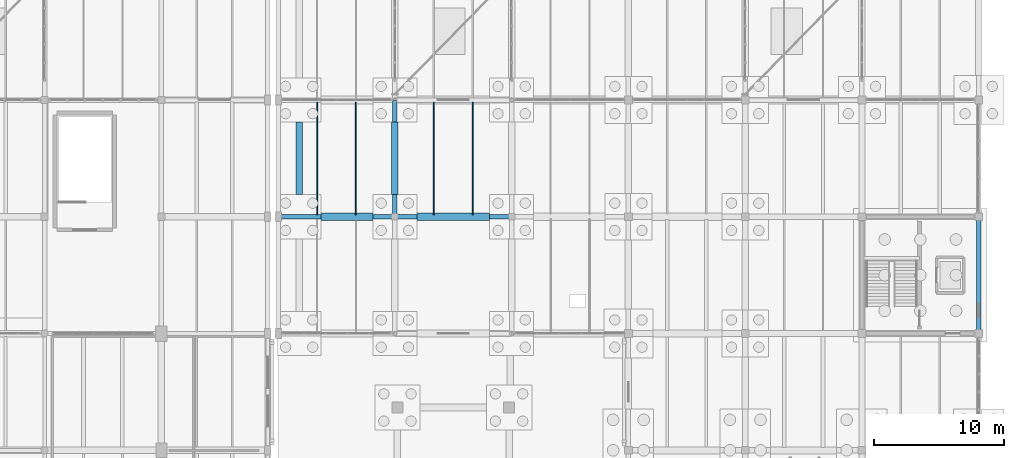
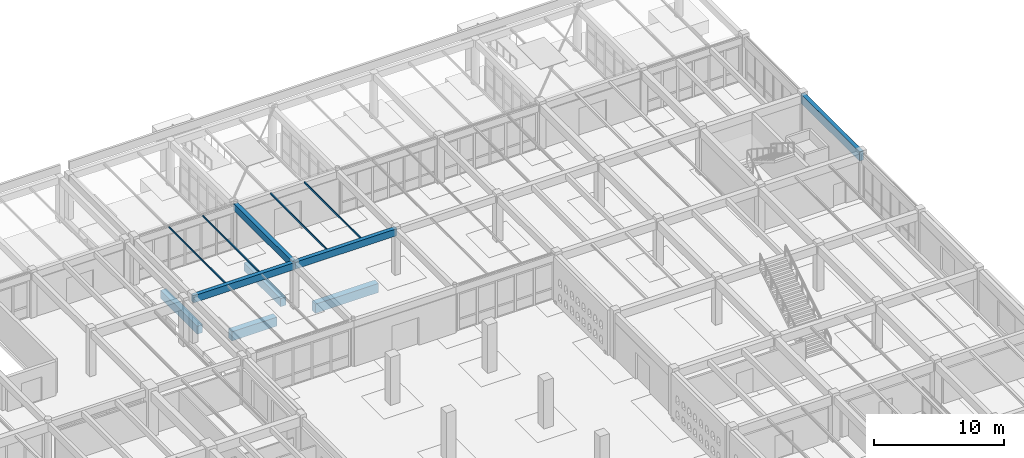
# One storey, part 128 of 186: 12 beams.
"""IFC4 building model written with IfcOpenShell, lengths in metres."""

from ifc_helpers import new_model, si_unit, direction, frame, origin, origin_2d, place, context, subcontext, project, spatial, rectangle, hollow_rectangle, extrude, material, material_profile, profile_set, type_object, element, save


model = new_model("IFC4")

# Units and contexts
model_context = context("Model", 3, precision=1e-05, world=origin(), true_north=direction((0.0, 1.0)))
body_context = subcontext(model_context, "Body", "Model", "MODEL_VIEW")
ifc_project = project(units=[si_unit("LENGTHUNIT", "METRE"), si_unit("AREAUNIT", "SQUARE_METRE"), si_unit("VOLUMEUNIT", "CUBIC_METRE"), si_unit("PLANEANGLEUNIT", "RADIAN"), si_unit("MASSUNIT", "GRAM", prefix="KILO")], contexts=[model_context])

# Site, building, storey
site_placement = place(None, origin())
site = spatial("IfcSite", under=ifc_project, at=site_placement, CompositionType="ELEMENT")
building_placement = place(site_placement, origin())
building = spatial("IfcBuilding", under=site, at=building_placement, Name="Ornek Quay Market", CompositionType="ELEMENT")
storey_placement = place(building_placement, origin())
storey = spatial("IfcBuildingStorey", under=building, at=storey_placement, Name="L00", CompositionType="ELEMENT", Elevation=0.0)

# Beams
ifc_material_1 = material(Name="Concrete C35/45", Category="concrete")
ifc_material_profile_1 = material_profile(ifc_material_1, rectangle(XDim=0.35009765625, YDim=0.64990234375, at=origin_2d()), Name="RC 350x650", Category="concrete")
ifc_profile_set_1 = profile_set([ifc_material_profile_1], Name="Concrete C35/45")
beam_type_1 = type_object("IfcBeamType", Name="BM-CONC-350x650", PredefinedType="BEAM", material=ifc_profile_set_1)
for number, where, z_axis, x_axis, name in (
    (1, (126.0, 101.0, 3.945068359375), (1.0, 0.0, 0.0), (0.0, 1.0, 0.0), "Primary beam B-CN1-076"),
    (2, (135.0, 101.0, 3.945068359375), (1.0, 0.0, 0.0), (0.0, 1.0, 0.0), "Primary beam B-CN1-077"),
    (3, (135.0, 101.0, 3.945068359375), (0.0, 1.0, 0.0), (-1.0, 0.0, 0.0), "Primary beam B-CN1-082"),
):
    element("IfcBeam", number, at=place(storey_placement, frame(where, z_axis=z_axis, x_axis=x_axis)), inside=storey, type_object=beam_type_1, Name=name, PredefinedType="BEAM", context=body_context, shape_type="SweptSolid", body=[
        extrude(rectangle(XDim=0.35009765625, YDim=0.64990234375, at=origin_2d()), origin(), (0.0, 0.0, 1.0), 9.0),
    ])
ifc_material_profile_2 = material_profile(ifc_material_1, rectangle(XDim=0.5, YDim=0.75, at=origin_2d()), Name="RC 500x750", Category="concrete")
ifc_profile_set_2 = profile_set([ifc_material_profile_2], Name="Concrete C35/45")
beam_type_2 = type_object("IfcBeamType", Name="BM-GB-500x750", PredefinedType="BEAM", material=ifc_profile_set_2)
for number, where, z_axis, x_axis, name in (
    (4, (127.6201171875, 102.699951171875, -0.574951171875), (0.0, 1.0, 0.0), (-1.0, 0.0, 0.0), "Ground tie beam GB-364"),
    (5, (135.0, 102.699951171875, -0.574951171875), (0.0, 1.0, 0.0), (-1.0, 0.0, 0.0), "Ground tie beam GB-369"),
):
    element("IfcBeam", number, at=place(storey_placement, frame(where, z_axis=z_axis, x_axis=x_axis)), inside=storey, type_object=beam_type_2, Name=name, PredefinedType="BEAM", context=body_context, shape_type="SweptSolid", body=[
        extrude(rectangle(XDim=0.5, YDim=0.75, at=origin_2d()), origin(), (0.0, 0.0, 1.0), 5.60009765625),
    ])
ifc_material_profile_3 = material_profile(ifc_material_1, rectangle(XDim=0.550048828125, YDim=0.85009765625, at=origin_2d()), Name="RC 550x850", Category="concrete")
ifc_profile_set_3 = profile_set([ifc_material_profile_3], Name="Concrete C35/45")
beam_type_3 = type_object("IfcBeamType", Name="BM-GB-550x850", PredefinedType="BEAM", material=ifc_profile_set_3)
beam_1_placement = place(storey_placement, frame((129.320068359375, 101.0, -0.625), z_axis=(1.0, 0.0, 0.0), x_axis=(0.0, 1.0, 0.0)))
element("IfcBeam", 6, at=beam_1_placement, inside=storey, type_object=beam_type_3, Name="Ground tie beam GB-346", PredefinedType="BEAM", context=body_context, shape_type="SweptSolid", body=[
    extrude(rectangle(XDim=0.550048828125, YDim=0.85009765625, at=origin_2d()), origin(), (0.0, 0.0, 1.0), 3.97998046875),
])
beam_2_placement = place(storey_placement, frame((136.699951171875, 101.0, -0.625), z_axis=(1.0, 0.0, 0.0), x_axis=(0.0, 1.0, 0.0)))
element("IfcBeam", 7, at=beam_2_placement, inside=storey, type_object=beam_type_3, Name="Ground tie beam GB-347", PredefinedType="BEAM", context=body_context, shape_type="SweptSolid", body=[
    extrude(rectangle(XDim=0.550048828125, YDim=0.85009765625, at=origin_2d()), origin(), (0.0, 0.0, 1.0), 5.60009765625),
])
ifc_material_2 = material(Name="Steel S355", Category="steel")
ifc_material_profile_4 = material_profile(ifc_material_2, hollow_rectangle(XDim=0.080078125, YDim=0.139892578125, WallThickness=0.006103515625, at=origin_2d()), Name="RHS 140x80x6", Category="steel")
ifc_profile_set_4 = profile_set([ifc_material_profile_4], Name="Steel S355")
beam_type_4 = type_object("IfcBeamType", Name="BM-RHS-RHS140x80x6", PredefinedType="BEAM", material=ifc_profile_set_4)
for number, where, z_axis, x_axis, name in (
    (8, (129.0, 101.1669921875, 4.199951171875), (0.0, 1.0, 0.0), (-1.0, 0.0, 0.0), "Secondary joist SR-01-003"),
    (9, (132.0, 101.1669921875, 4.199951171875), (0.0, 1.0, 0.0), (-1.0, 0.0, 0.0), "Secondary joist SR-01-004"),
):
    element("IfcBeam", number, at=place(storey_placement, frame(where, z_axis=z_axis, x_axis=x_axis)), inside=storey, type_object=beam_type_4, Name=name, PredefinedType="BEAM", context=body_context, shape_type="SweptSolid", body=[
        extrude(hollow_rectangle(XDim=0.080078125, YDim=0.139892578125, WallThickness=0.006103515625, at=origin_2d()), origin(), (0.0, 0.0, 1.0), 8.666015625),
    ])
ifc_material_profile_5 = material_profile(ifc_material_2, hollow_rectangle(XDim=0.080078125, YDim=0.159912109375, WallThickness=0.008056640625, at=origin_2d()), Name="RHS 160x80x8", Category="steel")
ifc_profile_set_5 = profile_set([ifc_material_profile_5], Name="Steel S355")
beam_type_5 = type_object("IfcBeamType", Name="BM-RHS-RHS160x80x8", PredefinedType="BEAM", material=ifc_profile_set_5)
for number, where, z_axis, x_axis, name in (
    (10, (138.0, 101.1669921875, 4.18994140625), (0.0, 1.0, 0.0), (-1.0, 0.0, 0.0), "Secondary joist SR-02-005"),
    (11, (141.0, 101.1669921875, 4.18994140625), (0.0, 1.0, 0.0), (-1.0, 0.0, 0.0), "Secondary joist SR-02-006"),
):
    element("IfcBeam", number, at=place(storey_placement, frame(where, z_axis=z_axis, x_axis=x_axis)), inside=storey, type_object=beam_type_5, Name=name, PredefinedType="BEAM", context=body_context, shape_type="SweptSolid", body=[
        extrude(hollow_rectangle(XDim=0.080078125, YDim=0.159912109375, WallThickness=0.008056640625, at=origin_2d()), origin(), (0.0, 0.0, 1.0), 8.666015625),
    ])
ifc_material_3 = material(Name="Concrete C40/50", Category="concrete")
ifc_material_profile_6 = material_profile(ifc_material_3, rectangle(XDim=0.35009765625, YDim=0.85009765625, at=origin_2d()), Name="RC 350x850", Category="concrete")
ifc_profile_set_6 = profile_set([ifc_material_profile_6], Name="Concrete C40/50")
beam_type_6 = type_object("IfcBeamType", Name="BM-SPN-350x850", PredefinedType="SPANDREL", material=ifc_profile_set_6)
beam_3_placement = place(storey_placement, frame((180.0, 92.0, 3.804931640625), z_axis=(0.0, 1.0, 0.0), x_axis=(-1.0, 0.0, 0.0)))
element("IfcBeam", 12, at=beam_3_placement, inside=storey, type_object=beam_type_6, Name="Primary beam B-SP1-099", PredefinedType="SPANDREL", context=body_context, shape_type="SweptSolid", body=[
    extrude(rectangle(XDim=0.35009765625, YDim=0.85009765625, at=origin_2d()), origin(), (0.0, 0.0, 1.0), 9.0),
])

save(model, "model.ifc")
